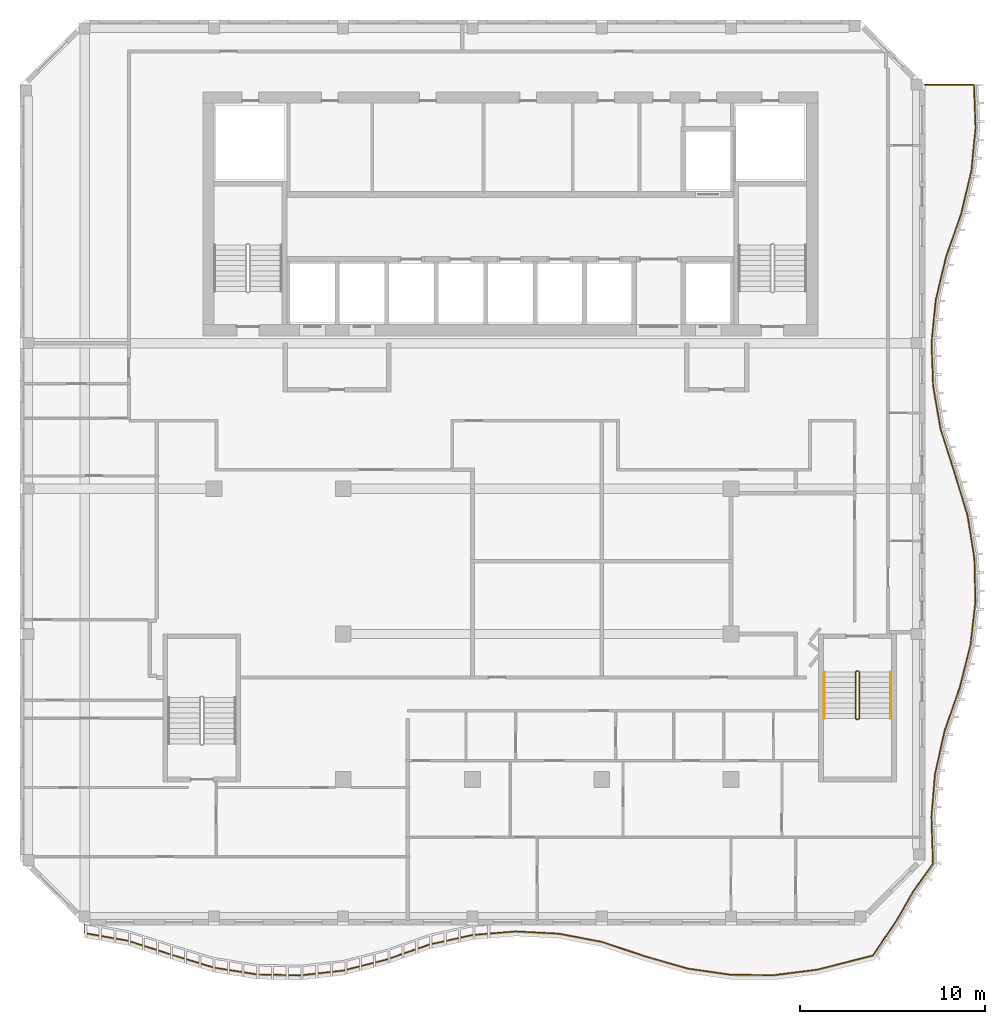
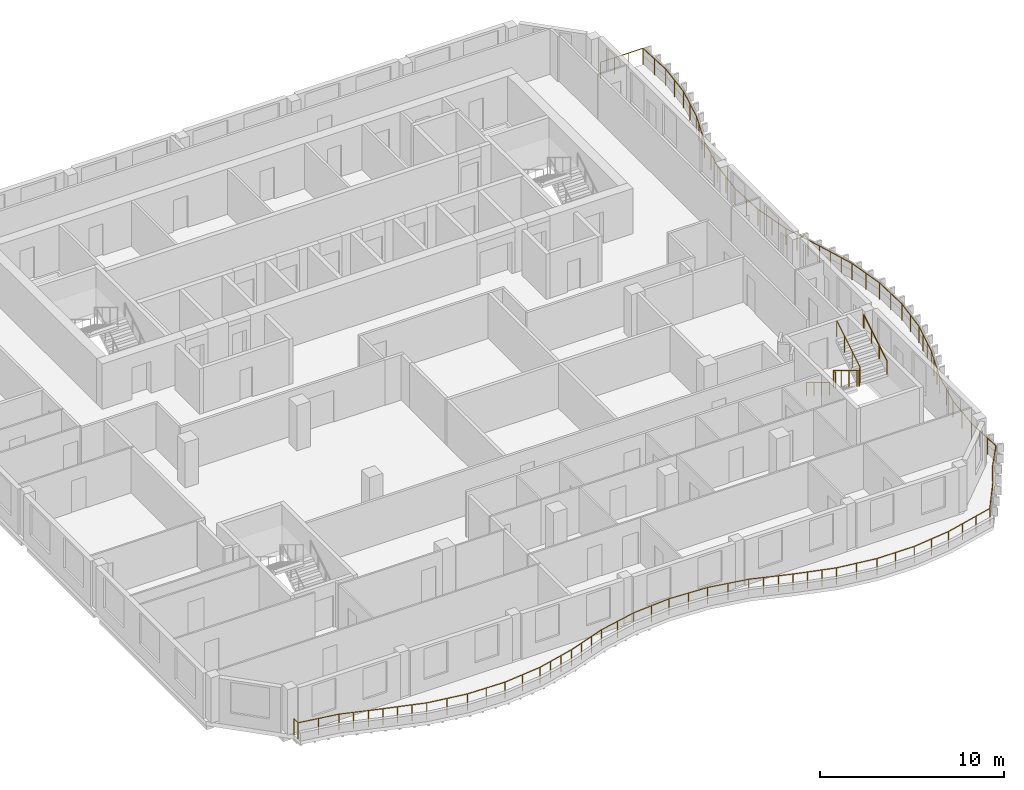
# One storey, part 13 of 14: 4 railings.
"""IFC4 building model written with IfcOpenShell, lengths in metres."""

from ifc_helpers import new_model, si_unit, direction, frame, origin, origin_2d, place, context, subcontext, project, spatial, circle, extrude, material, type_object, element, save


model = new_model("IFC4")

# Units and contexts
model_context = context("Model", 3, precision=1e-05, world=origin(), true_north=direction((0.0, 1.0)))
body_context = subcontext(model_context, "Body", "Model", "MODEL_VIEW")
ifc_project = project(units=[si_unit("LENGTHUNIT", "METRE"), si_unit("AREAUNIT", "SQUARE_METRE"), si_unit("VOLUMEUNIT", "CUBIC_METRE"), si_unit("PLANEANGLEUNIT", "RADIAN"), si_unit("MASSUNIT", "GRAM", prefix="KILO")], contexts=[model_context])

# Site, building, storey
site_placement = place(None, origin())
site = spatial("IfcSite", under=ifc_project, at=site_placement, CompositionType="ELEMENT")
building_placement = place(site_placement, origin())
building = spatial("IfcBuilding", under=site, at=building_placement, Name="Kilnfold Tower and Market Hall", CompositionType="ELEMENT")
storey_placement = place(building_placement, frame((0.0, 0.0, 315.39990234375)))
storey = spatial("IfcBuildingStorey", under=building, at=storey_placement, Name="L79", CompositionType="ELEMENT", Elevation=315.39990234375)

# Railings
ifc_material_1 = material(Name="Stainless steel 316", Category="steel")
railing_type_1 = type_object("IfcRailingType", Name="CORE STAIR GUARD 1100", PredefinedType="GUARDRAIL", material=ifc_material_1)
railing_1_placement = place(storey_placement, frame((19.89990234375, -9.75, 0.0)))
element("IfcRailing", 1, at=railing_1_placement, inside=storey, type_object=railing_type_1, Name="L79 ST4 stair guard 1", PredefinedType="GUARDRAIL", context=body_context, shape_type="SweptSolid", body=[
    extrude(circle(Radius=0.02392578125, at=origin_2d()), frame((0.0, 0.0, 1.076171875), z_axis=(-1.0, 0.0, 0.0), x_axis=(0.0, -1.0, 0.0)), (0.0, 0.0, 1.0), 0.099853515625),
    extrude(circle(Radius=0.02392578125, at=origin_2d()), frame((-0.099853515625, 0.0, 1.076171875), z_axis=(-0.271562723297, -0.271562723297, 0.923313259209), x_axis=(0.707106781187, -0.707106781187, 0.0)), (0.0, 0.0, 1.0), 0.184326171875),
    extrude(circle(Radius=0.02392578125, at=origin_2d()), frame((-0.14990234375, -0.050048828125, 1.24609375), z_axis=(0.0, -0.85478489116, 0.518982456201), x_axis=(1.0, 0.0, 0.0)), (0.0, 0.0, 1.0), 2.9482421875),
    extrude(circle(Radius=0.02392578125, at=origin_2d()), frame((-0.14990234375, -2.570068359375, 2.7763671875), z_axis=(0.707106781187, -0.707106781187, 0.0), x_axis=(0.707106781187, 0.707106781187, 0.0)), (0.0, 0.0, 1.0), 0.07080078125),
    extrude(circle(Radius=0.02392578125, at=origin_2d()), frame((-0.099853515625, -2.6201171875, 2.7763671875), z_axis=(1.0, 0.0, 0.0), x_axis=(0.0, 1.0, 0.0)), (0.0, 0.0, 1.0), 0.099853515625),
    extrude(circle(Radius=0.02392578125, at=origin_2d()), frame((0.0, -2.6201171875, 2.7763671875), z_axis=(0.271895245746, 0.271895245746, 0.923117517265), x_axis=(-0.707106781187, 0.707106781187, 0.0)), (0.0, 0.0, 1.0), 0.18408203125),
    extrude(circle(Radius=0.02392578125, at=origin_2d()), frame((0.050048828125, -2.570068359375, 2.9462890625), z_axis=(0.0, 0.85478489116, 0.518982456201), x_axis=(-1.0, 0.0, 0.0)), (0.0, 0.0, 1.0), 2.9482421875),
    extrude(circle(Radius=0.02099609375, at=origin_2d()), origin(), (0.0, 0.0, 1.0), 1.052001953125),
    extrude(circle(Radius=0.02099609375, at=origin_2d()), frame((-0.099853515625, 0.0, 0.0)), (0.0, 0.0, 1.0), 1.052001953125),
    extrude(circle(Radius=0.02099609375, at=origin_2d()), frame((-0.14990234375, -0.050048828125, 0.170166015625)), (0.0, 0.0, 1.0), 1.052001953125),
    extrude(circle(Radius=0.02099609375, at=origin_2d()), frame((-0.14990234375, -0.89013671875, 0.68017578125)), (0.0, 0.0, 1.0), 1.052001953125),
    extrude(circle(Radius=0.02099609375, at=origin_2d()), frame((-0.14990234375, -1.72998046875, 1.190185546875)), (0.0, 0.0, 1.0), 1.052001953125),
    extrude(circle(Radius=0.02099609375, at=origin_2d()), frame((-0.14990234375, -2.570068359375, 1.7001953125)), (0.0, 0.0, 1.0), 1.052001953125),
    extrude(circle(Radius=0.02099609375, at=origin_2d()), frame((-0.099853515625, -2.6201171875, 1.7001953125)), (0.0, 0.0, 1.0), 1.052001953125),
    extrude(circle(Radius=0.02099609375, at=origin_2d()), frame((0.0, -2.6201171875, 1.7001953125)), (0.0, 0.0, 1.0), 1.052001953125),
    extrude(circle(Radius=0.02099609375, at=origin_2d()), frame((0.050048828125, -2.570068359375, 1.8701171875)), (0.0, 0.0, 1.0), 1.052001953125),
    extrude(circle(Radius=0.02099609375, at=origin_2d()), frame((0.050048828125, -1.72998046875, 2.380126953125)), (0.0, 0.0, 1.0), 1.052001953125),
    extrude(circle(Radius=0.02099609375, at=origin_2d()), frame((0.050048828125, -0.89013671875, 2.89013671875)), (0.0, 0.0, 1.0), 1.052001953125),
    extrude(circle(Radius=0.02099609375, at=origin_2d()), frame((0.050048828125, -0.050048828125, 3.400146484375)), (0.0, 0.0, 1.0), 1.052001953125),
])
ifc_material_2 = material(Name="Stainless steel 316", Category="steel")
railing_type_2 = type_object("IfcRailingType", Name="CORE STAIR HANDRAIL 900", PredefinedType="HANDRAIL", material=ifc_material_2)
railing_2_placement = place(storey_placement, frame((18.050048828125, -9.800048828125, 0.170166015625)))
element("IfcRailing", 2, at=railing_2_placement, inside=storey, type_object=railing_type_2, Name="L79 ST4 stair handrail 1", PredefinedType="HANDRAIL", context=body_context, shape_type="SweptSolid", body=[
    extrude(circle(Radius=0.02392578125, at=origin_2d()), frame((0.0, 0.0, 0.8759765625), z_axis=(0.0, -0.85478489116, 0.518982456201), x_axis=(1.0, 0.0, 0.0)), (0.0, 0.0, 1.0), 2.9482421875),
    extrude(circle(Radius=0.02099609375, at=origin_2d()), origin(), (0.0, 0.0, 1.0), 0.851806640625),
    extrude(circle(Radius=0.02099609375, at=origin_2d()), frame((0.0, -0.840087890625, 0.510009765625)), (0.0, 0.0, 1.0), 0.851806640625),
    extrude(circle(Radius=0.02099609375, at=origin_2d()), frame((0.0, -1.679931640625, 1.02001953125)), (0.0, 0.0, 1.0), 0.851806640625),
    extrude(circle(Radius=0.02099609375, at=origin_2d()), frame((0.0, -2.52001953125, 1.530029296875)), (0.0, 0.0, 1.0), 0.851806640625),
])
railing_3_placement = place(storey_placement, frame((21.64990234375, -12.320068359375, 1.8701171875)))
element("IfcRailing", 3, at=railing_3_placement, inside=storey, type_object=railing_type_2, Name="L79 ST4 stair handrail 2", PredefinedType="HANDRAIL", context=body_context, shape_type="SweptSolid", body=[
    extrude(circle(Radius=0.02392578125, at=origin_2d()), frame((0.0, 0.0, 0.8759765625), z_axis=(0.0, 0.85478489116, 0.518982456201), x_axis=(-1.0, 0.0, 0.0)), (0.0, 0.0, 1.0), 2.9482421875),
    extrude(circle(Radius=0.02099609375, at=origin_2d()), origin(), (0.0, 0.0, 1.0), 0.851806640625),
    extrude(circle(Radius=0.02099609375, at=origin_2d()), frame((0.0, 0.840087890625, 0.510009765625)), (0.0, 0.0, 1.0), 0.851806640625),
    extrude(circle(Radius=0.02099609375, at=origin_2d()), frame((0.0, 1.679931640625, 1.02001953125)), (0.0, 0.0, 1.0), 0.851806640625),
    extrude(circle(Radius=0.02099609375, at=origin_2d()), frame((0.0, 2.52001953125, 1.530029296875)), (0.0, 0.0, 1.0), 0.851806640625),
])
ifc_material_3 = material(Name="Stainless steel and laminated glass", Category="steel")
railing_type_3 = type_object("IfcRailingType", Name="GUARD 1100", PredefinedType="GUARDRAIL", material=ifc_material_3)
railing_4_placement = place(storey_placement, frame((-22.0, -23.5, 0.0)))
element("IfcRailing", 4, at=railing_4_placement, inside=storey, type_object=railing_type_3, Name="Guard balcony L79", PredefinedType="GUARDRAIL", context=body_context, shape_type="SweptSolid", body=[
    extrude(circle(Radius=0.02490234375, at=origin_2d()), frame((0.0, 0.0, 1.0751953125), z_axis=(0.0, -1.0, 0.0), x_axis=(1.0, 0.0, 0.0)), (0.0, 0.0, 1.0), 0.44482421875),
    extrude(circle(Radius=0.02490234375, at=origin_2d()), frame((0.0, -0.44482421875, 1.0751953125), z_axis=(0.985161021514, -0.17163263585, 0.0), x_axis=(0.17163263585, 0.985161021514, 0.0)), (0.0, 0.0, 1.0), 2.368408203125),
    extrude(circle(Radius=0.02490234375, at=origin_2d()), frame((2.333251953125, -0.851318359375, 1.0751953125), z_axis=(0.952237728502, -0.305357672929, 0.0), x_axis=(0.305357672929, 0.952237728502, 0.0)), (0.0, 0.0, 1.0), 2.450439453125),
    extrude(circle(Radius=0.02490234375, at=origin_2d()), frame((4.666748046875, -1.599609375, 1.0751953125), z_axis=(0.956664181542, -0.291193481648, 0.0), x_axis=(0.291193481648, 0.956664181542, 0.0)), (0.0, 0.0, 1.0), 2.43896484375),
    extrude(circle(Radius=0.02490234375, at=origin_2d()), frame((7.0, -2.309814453125, 1.0751953125), z_axis=(0.98763527449, -0.15676914423, 0.0), x_axis=(0.15676914423, 0.98763527449, 0.0)), (0.0, 0.0, 1.0), 2.362548828125),
    extrude(circle(Radius=0.02490234375, at=origin_2d()), frame((9.333251953125, -2.68017578125, 1.0751953125), z_axis=(0.999744743303, -0.022593101544, 0.0), x_axis=(0.022593101544, 0.999744743303, 0.0)), (0.0, 0.0, 1.0), 2.333984375),
    extrude(circle(Radius=0.02490234375, at=origin_2d()), frame((11.666748046875, -2.73291015625, 1.0751953125), z_axis=(0.993733193139, 0.11177808754, 0.0), x_axis=(-0.11177808754, 0.993733193139, 0.0)), (0.0, 0.0, 1.0), 2.347900390625),
    extrude(circle(Radius=0.02490234375, at=origin_2d()), frame((14.0, -2.470458984375, 1.0751953125), z_axis=(0.969283366137, 0.245946653017, 0.0), x_axis=(-0.245946653017, 0.969283366137, 0.0)), (0.0, 0.0, 1.0), 2.4072265625),
    extrude(circle(Radius=0.02490234375, at=origin_2d()), frame((16.333251953125, -1.87841796875, 1.0751953125), z_axis=(0.943990699702, 0.329972057722, 0.0), x_axis=(-0.329972057722, 0.943990699702, 0.0)), (0.0, 0.0, 1.0), 2.471923828125),
    extrude(circle(Radius=0.02490234375, at=origin_2d()), frame((18.666748046875, -1.062744140625, 1.0751953125), z_axis=(0.976247110943, 0.216660052559, 0.0), x_axis=(-0.216660052559, 0.976247110943, 0.0)), (0.0, 0.0, 1.0), 2.39013671875),
    extrude(circle(Radius=0.02490234375, at=origin_2d()), frame((21.0, -0.544921875, 1.0751953125), z_axis=(0.996600912797, 0.082380948112, 0.0), x_axis=(-0.082380948112, 0.996600912797, 0.0)), (0.0, 0.0, 1.0), 2.34130859375),
    extrude(circle(Radius=0.02490234375, at=origin_2d()), frame((23.333251953125, -0.35205078125, 1.0751953125), z_axis=(0.998656235283, -0.051823968686, 0.0), x_axis=(0.051823968686, 0.998656235283, 0.0)), (0.0, 0.0, 1.0), 2.336669921875),
    extrude(circle(Radius=0.02490234375, at=origin_2d()), frame((25.666748046875, -0.47314453125, 1.0751953125), z_axis=(0.982534193754, -0.186082127309, 0.0), x_axis=(0.186082127309, 0.982534193754, 0.0)), (0.0, 0.0, 1.0), 2.374755859375),
    extrude(circle(Radius=0.02490234375, at=origin_2d()), frame((28.0, -0.9150390625, 1.0751953125), z_axis=(0.948524379753, -0.316704122192, 0.0), x_axis=(0.316704122192, 0.948524379753, 0.0)), (0.0, 0.0, 1.0), 2.4599609375),
    extrude(circle(Radius=0.02490234375, at=origin_2d()), frame((30.333251953125, -1.694091796875, 1.0751953125), z_axis=(0.961013882284, -0.276500123068, 0.0), x_axis=(0.276500123068, 0.961013882284, 0.0)), (0.0, 0.0, 1.0), 2.42822265625),
    extrude(circle(Radius=0.02490234375, at=origin_2d()), frame((32.666748046875, -2.365478515625, 1.0751953125), z_axis=(0.989822742584, -0.14230579139, 0.0), x_axis=(0.14230579139, 0.989822742584, 0.0)), (0.0, 0.0, 1.0), 2.357177734375),
    extrude(circle(Radius=0.02490234375, at=origin_2d()), frame((35.0, -2.700927734375, 1.0751953125), z_axis=(0.999967544587, -0.008056660137, 0.0), x_axis=(0.008056660137, 0.999967544587, 0.0)), (0.0, 0.0, 1.0), 2.333251953125),
    extrude(circle(Radius=0.02490234375, at=origin_2d()), frame((37.333251953125, -2.7197265625, 1.0751953125), z_axis=(0.992004055436, 0.126205998264, 0.0), x_axis=(-0.126205998264, 0.992004055436, 0.0)), (0.0, 0.0, 1.0), 2.352294921875),
    extrude(circle(Radius=0.02490234375, at=origin_2d()), frame((39.666748046875, -2.4228515625, 1.0751953125), z_axis=(0.969269635659, 0.246000758921, 0.0), x_axis=(-0.246000758921, 0.969269635659, 0.0)), (0.0, 0.0, 1.0), 3.115234375),
    extrude(circle(Radius=0.02490234375, at=origin_2d()), frame((42.686279296875, -1.656494140625, 1.0751953125), z_axis=(0.557017105761, 0.830501019801, 0.0), x_axis=(-0.830501019801, 0.557017105761, 0.0)), (0.0, 0.0, 1.0), 2.380859375),
    extrude(circle(Radius=0.02490234375, at=origin_2d()), frame((44.012451171875, 0.32080078125, 1.0751953125), z_axis=(0.498229570027, 0.867045151968, 0.0), x_axis=(-0.867045151968, 0.498229570027, 0.0)), (0.0, 0.0, 1.0), 1.709228515625),
    extrude(circle(Radius=0.02490234375, at=origin_2d()), frame((44.864013671875, 1.802734375, 1.0751953125), z_axis=(0.577451898884, 0.816424708393, 0.0), x_axis=(-0.816424708393, 0.577451898884, 0.0)), (0.0, 0.0, 1.0), 1.857421875),
    extrude(circle(Radius=0.02490234375, at=origin_2d()), frame((45.9365234375, 3.319091796875, 1.0751953125), z_axis=(-0.033579808658, 0.999436039199, 0.0), x_axis=(-0.999436039199, -0.033579808658, 0.0)), (0.0, 0.0, 1.0), 2.515625),
    extrude(circle(Radius=0.02490234375, at=origin_2d()), frame((45.85205078125, 5.833251953125, 1.0751953125), z_axis=(0.082683059595, 0.996575893576, 0.0), x_axis=(-0.996575893576, 0.082683059595, 0.0)), (0.0, 0.0, 1.0), 2.341552734375),
    extrude(circle(Radius=0.02490234375, at=origin_2d()), frame((46.045654296875, 8.166748046875, 1.0751953125), z_axis=(0.216952088083, 0.976182253207, 0.0), x_axis=(-0.976182253207, 0.216952088083, 0.0)), (0.0, 0.0, 1.0), 2.39013671875),
    extrude(circle(Radius=0.02490234375, at=origin_2d()), frame((46.564208984375, 10.5, 1.0751953125), z_axis=(0.329914803276, 0.944010711051, 0.0), x_axis=(-0.944010711051, 0.329914803276, 0.0)), (0.0, 0.0, 1.0), 2.4716796875),
    extrude(circle(Radius=0.02490234375, at=origin_2d()), frame((47.379638671875, 12.833251953125, 1.0751953125), z_axis=(0.245731906656, 0.969337830713, 0.0), x_axis=(-0.969337830713, 0.245731906656, 0.0)), (0.0, 0.0, 1.0), 2.4072265625),
    extrude(circle(Radius=0.02490234375, at=origin_2d()), frame((47.97119140625, 15.166748046875, 1.0751953125), z_axis=(0.111470030065, 0.993767796015, 0.0), x_axis=(-0.993767796015, 0.111470030065, 0.0)), (0.0, 0.0, 1.0), 2.347900390625),
    extrude(circle(Radius=0.02490234375, at=origin_2d()), frame((48.23291015625, 17.5, 1.0751953125), z_axis=(-0.022804573332, 0.999739941902, 0.0), x_axis=(-0.999739941902, -0.022804573332, 0.0)), (0.0, 0.0, 1.0), 2.333740234375),
    extrude(circle(Radius=0.02490234375, at=origin_2d()), frame((48.1796875, 19.833251953125, 1.0751953125), z_axis=(-0.157055499367, 0.987589778257, 0.0), x_axis=(-0.987589778257, -0.157055499367, 0.0)), (0.0, 0.0, 1.0), 2.36279296875),
    extrude(circle(Radius=0.02490234375, at=origin_2d()), frame((47.80859375, 22.166748046875, 1.0751953125), z_axis=(-0.29137669156, 0.956608396166, 0.0), x_axis=(-0.956608396166, -0.29137669156, 0.0)), (0.0, 0.0, 1.0), 2.439208984375),
    extrude(circle(Radius=0.02490234375, at=origin_2d()), frame((47.097900390625, 24.5, 1.0751953125), z_axis=(-0.305205938926, 0.952286372287, 0.0), x_axis=(-0.952286372287, -0.305205938926, 0.0)), (0.0, 0.0, 1.0), 2.4501953125),
    extrude(circle(Radius=0.02490234375, at=origin_2d()), frame((46.35009765625, 26.833251953125, 1.0751953125), z_axis=(-0.171315074292, 0.985216293674, 0.0), x_axis=(-0.985216293674, -0.171315074292, 0.0)), (0.0, 0.0, 1.0), 2.368408203125),
    extrude(circle(Radius=0.02490234375, at=origin_2d()), frame((45.9443359375, 29.166748046875, 1.0751953125), z_axis=(-0.037015527932, 0.999314690521, 0.0), x_axis=(-0.999314690521, -0.037015527932, 0.0)), (0.0, 0.0, 1.0), 2.3349609375),
    extrude(circle(Radius=0.02490234375, at=origin_2d()), frame((45.85791015625, 31.5, 1.0751953125), z_axis=(0.097162865547, 0.995268495211, 0.0), x_axis=(-0.995268495211, 0.097162865547, 0.0)), (0.0, 0.0, 1.0), 2.34423828125),
    extrude(circle(Radius=0.02490234375, at=origin_2d()), frame((46.085693359375, 33.833251953125, 1.0751953125), z_axis=(0.231455399006, 0.972845516139, 0.0), x_axis=(-0.972845516139, 0.231455399006, 0.0)), (0.0, 0.0, 1.0), 2.398681640625),
    extrude(circle(Radius=0.02490234375, at=origin_2d()), frame((46.640869140625, 36.166748046875, 1.0751953125), z_axis=(0.331409994631, 0.943486839049, 0.0), x_axis=(-0.943486839049, 0.331409994631, 0.0)), (0.0, 0.0, 1.0), 2.472900390625),
    extrude(circle(Radius=0.02490234375, at=origin_2d()), frame((47.46044921875, 38.5, 1.0751953125), z_axis=(0.231285627917, 0.972885891726, 0.0), x_axis=(-0.972885891726, 0.231285627917, 0.0)), (0.0, 0.0, 1.0), 2.398193359375),
    extrude(circle(Radius=0.02490234375, at=origin_2d()), frame((48.01513671875, 40.833251953125, 1.0751953125), z_axis=(0.096843341941, 0.995299636854, 0.0), x_axis=(-0.995299636854, 0.096843341941, 0.0)), (0.0, 0.0, 1.0), 2.344482421875),
    extrude(circle(Radius=0.02490234375, at=origin_2d()), frame((48.2421875, 43.166748046875, 1.0751953125), z_axis=(-0.037224366243, 0.999306933108, 0.0), x_axis=(-0.999306933108, -0.037224366243, 0.0)), (0.0, 0.0, 1.0), 2.3349609375),
    extrude(circle(Radius=0.02490234375, at=origin_2d()), frame((48.1552734375, 45.5, 1.0751953125), z_axis=(-1.0, 0.0, 0.0), x_axis=(0.0, -1.0, 0.0)), (0.0, 0.0, 1.0), 2.6552734375),
    extrude(circle(Radius=0.02490234375, at=origin_2d()), origin(), (0.0, 0.0, 1.0), 1.050048828125),
    extrude(circle(Radius=0.02490234375, at=origin_2d()), frame((0.0, -0.44482421875, 0.0)), (0.0, 0.0, 1.0), 1.050048828125),
    extrude(circle(Radius=0.02490234375, at=origin_2d()), frame((1.16650390625, -0.64794921875, 0.0)), (0.0, 0.0, 1.0), 1.050048828125),
    extrude(circle(Radius=0.02490234375, at=origin_2d()), frame((2.333251953125, -0.851318359375, 0.0)), (0.0, 0.0, 1.0), 1.050048828125),
    extrude(circle(Radius=0.02490234375, at=origin_2d()), frame((3.111083984375, -1.100830078125, 0.0)), (0.0, 0.0, 1.0), 1.050048828125),
    extrude(circle(Radius=0.02490234375, at=origin_2d()), frame((3.888916015625, -1.35009765625, 0.0)), (0.0, 0.0, 1.0), 1.050048828125),
    extrude(circle(Radius=0.02490234375, at=origin_2d()), frame((4.666748046875, -1.599609375, 0.0)), (0.0, 0.0, 1.0), 1.050048828125),
    extrude(circle(Radius=0.02490234375, at=origin_2d()), frame((5.444580078125, -1.83642578125, 0.0)), (0.0, 0.0, 1.0), 1.050048828125),
    extrude(circle(Radius=0.02490234375, at=origin_2d()), frame((6.22216796875, -2.072998046875, 0.0)), (0.0, 0.0, 1.0), 1.050048828125),
    extrude(circle(Radius=0.02490234375, at=origin_2d()), frame((7.0, -2.309814453125, 0.0)), (0.0, 0.0, 1.0), 1.050048828125),
    extrude(circle(Radius=0.02490234375, at=origin_2d()), frame((8.16650390625, -2.4951171875, 0.0)), (0.0, 0.0, 1.0), 1.050048828125),
    extrude(circle(Radius=0.02490234375, at=origin_2d()), frame((9.333251953125, -2.68017578125, 0.0)), (0.0, 0.0, 1.0), 1.050048828125),
    extrude(circle(Radius=0.02490234375, at=origin_2d()), frame((10.5, -2.70654296875, 0.0)), (0.0, 0.0, 1.0), 1.050048828125),
    extrude(circle(Radius=0.02490234375, at=origin_2d()), frame((11.666748046875, -2.73291015625, 0.0)), (0.0, 0.0, 1.0), 1.050048828125),
    extrude(circle(Radius=0.02490234375, at=origin_2d()), frame((12.83349609375, -2.6015625, 0.0)), (0.0, 0.0, 1.0), 1.050048828125),
    extrude(circle(Radius=0.02490234375, at=origin_2d()), frame((14.0, -2.470458984375, 0.0)), (0.0, 0.0, 1.0), 1.050048828125),
    extrude(circle(Radius=0.02490234375, at=origin_2d()), frame((14.77783203125, -2.273193359375, 0.0)), (0.0, 0.0, 1.0), 1.050048828125),
    extrude(circle(Radius=0.02490234375, at=origin_2d()), frame((15.555419921875, -2.07568359375, 0.0)), (0.0, 0.0, 1.0), 1.050048828125),
    extrude(circle(Radius=0.02490234375, at=origin_2d()), frame((16.333251953125, -1.87841796875, 0.0)), (0.0, 0.0, 1.0), 1.050048828125),
    extrude(circle(Radius=0.02490234375, at=origin_2d()), frame((17.111083984375, -1.6064453125, 0.0)), (0.0, 0.0, 1.0), 1.050048828125),
    extrude(circle(Radius=0.02490234375, at=origin_2d()), frame((17.888916015625, -1.334716796875, 0.0)), (0.0, 0.0, 1.0), 1.050048828125),
    extrude(circle(Radius=0.02490234375, at=origin_2d()), frame((18.666748046875, -1.062744140625, 0.0)), (0.0, 0.0, 1.0), 1.050048828125),
    extrude(circle(Radius=0.02490234375, at=origin_2d()), frame((19.83349609375, -0.8037109375, 0.0)), (0.0, 0.0, 1.0), 1.050048828125),
    extrude(circle(Radius=0.02490234375, at=origin_2d()), frame((21.0, -0.544921875, 0.0)), (0.0, 0.0, 1.0), 1.050048828125),
    extrude(circle(Radius=0.02490234375, at=origin_2d()), frame((22.16650390625, -0.448486328125, 0.0)), (0.0, 0.0, 1.0), 1.050048828125),
    extrude(circle(Radius=0.02490234375, at=origin_2d()), frame((23.333251953125, -0.35205078125, 0.0)), (0.0, 0.0, 1.0), 1.050048828125),
    extrude(circle(Radius=0.02490234375, at=origin_2d()), frame((24.5, -0.41259765625, 0.0)), (0.0, 0.0, 1.0), 1.050048828125),
    extrude(circle(Radius=0.02490234375, at=origin_2d()), frame((25.666748046875, -0.47314453125, 0.0)), (0.0, 0.0, 1.0), 1.050048828125),
    extrude(circle(Radius=0.02490234375, at=origin_2d()), frame((26.83349609375, -0.694091796875, 0.0)), (0.0, 0.0, 1.0), 1.050048828125),
    extrude(circle(Radius=0.02490234375, at=origin_2d()), frame((28.0, -0.9150390625, 0.0)), (0.0, 0.0, 1.0), 1.050048828125),
    extrude(circle(Radius=0.02490234375, at=origin_2d()), frame((28.77783203125, -1.1748046875, 0.0)), (0.0, 0.0, 1.0), 1.050048828125),
    extrude(circle(Radius=0.02490234375, at=origin_2d()), frame((29.555419921875, -1.434326171875, 0.0)), (0.0, 0.0, 1.0), 1.050048828125),
    extrude(circle(Radius=0.02490234375, at=origin_2d()), frame((30.333251953125, -1.694091796875, 0.0)), (0.0, 0.0, 1.0), 1.050048828125),
    extrude(circle(Radius=0.02490234375, at=origin_2d()), frame((31.111083984375, -1.91796875, 0.0)), (0.0, 0.0, 1.0), 1.050048828125),
    extrude(circle(Radius=0.02490234375, at=origin_2d()), frame((31.888916015625, -2.1416015625, 0.0)), (0.0, 0.0, 1.0), 1.050048828125),
    extrude(circle(Radius=0.02490234375, at=origin_2d()), frame((32.666748046875, -2.365478515625, 0.0)), (0.0, 0.0, 1.0), 1.050048828125),
    extrude(circle(Radius=0.02490234375, at=origin_2d()), frame((33.83349609375, -2.533203125, 0.0)), (0.0, 0.0, 1.0), 1.050048828125),
    extrude(circle(Radius=0.02490234375, at=origin_2d()), frame((35.0, -2.700927734375, 0.0)), (0.0, 0.0, 1.0), 1.050048828125),
    extrude(circle(Radius=0.02490234375, at=origin_2d()), frame((36.16650390625, -2.71044921875, 0.0)), (0.0, 0.0, 1.0), 1.050048828125),
    extrude(circle(Radius=0.02490234375, at=origin_2d()), frame((37.333251953125, -2.7197265625, 0.0)), (0.0, 0.0, 1.0), 1.050048828125),
    extrude(circle(Radius=0.02490234375, at=origin_2d()), frame((38.5, -2.5712890625, 0.0)), (0.0, 0.0, 1.0), 1.050048828125),
    extrude(circle(Radius=0.02490234375, at=origin_2d()), frame((39.666748046875, -2.4228515625, 0.0)), (0.0, 0.0, 1.0), 1.050048828125),
    extrude(circle(Radius=0.02490234375, at=origin_2d()), frame((40.67333984375, -2.16748046875, 0.0)), (0.0, 0.0, 1.0), 1.050048828125),
    extrude(circle(Radius=0.02490234375, at=origin_2d()), frame((41.6796875, -1.911865234375, 0.0)), (0.0, 0.0, 1.0), 1.050048828125),
    extrude(circle(Radius=0.02490234375, at=origin_2d()), frame((42.686279296875, -1.656494140625, 0.0)), (0.0, 0.0, 1.0), 1.050048828125),
    extrude(circle(Radius=0.02490234375, at=origin_2d()), frame((43.349365234375, -0.66796875, 0.0)), (0.0, 0.0, 1.0), 1.050048828125),
    extrude(circle(Radius=0.02490234375, at=origin_2d()), frame((44.012451171875, 0.32080078125, 0.0)), (0.0, 0.0, 1.0), 1.050048828125),
    extrude(circle(Radius=0.02490234375, at=origin_2d()), frame((44.438232421875, 1.061767578125, 0.0)), (0.0, 0.0, 1.0), 1.050048828125),
    extrude(circle(Radius=0.02490234375, at=origin_2d()), frame((44.864013671875, 1.802734375, 0.0)), (0.0, 0.0, 1.0), 1.050048828125),
    extrude(circle(Radius=0.02490234375, at=origin_2d()), frame((45.400390625, 2.56103515625, 0.0)), (0.0, 0.0, 1.0), 1.050048828125),
    extrude(circle(Radius=0.02490234375, at=origin_2d()), frame((45.9365234375, 3.319091796875, 0.0)), (0.0, 0.0, 1.0), 1.050048828125),
    extrude(circle(Radius=0.02490234375, at=origin_2d()), frame((45.908447265625, 4.1572265625, 0.0)), (0.0, 0.0, 1.0), 1.050048828125),
    extrude(circle(Radius=0.02490234375, at=origin_2d()), frame((45.880126953125, 4.9951171875, 0.0)), (0.0, 0.0, 1.0), 1.050048828125),
    extrude(circle(Radius=0.02490234375, at=origin_2d()), frame((45.85205078125, 5.833251953125, 0.0)), (0.0, 0.0, 1.0), 1.050048828125),
    extrude(circle(Radius=0.02490234375, at=origin_2d()), frame((45.94873046875, 7.0, 0.0)), (0.0, 0.0, 1.0), 1.050048828125),
    extrude(circle(Radius=0.02490234375, at=origin_2d()), frame((46.045654296875, 8.166748046875, 0.0)), (0.0, 0.0, 1.0), 1.050048828125),
    extrude(circle(Radius=0.02490234375, at=origin_2d()), frame((46.304931640625, 9.33349609375, 0.0)), (0.0, 0.0, 1.0), 1.050048828125),
    extrude(circle(Radius=0.02490234375, at=origin_2d()), frame((46.564208984375, 10.5, 0.0)), (0.0, 0.0, 1.0), 1.050048828125),
    extrude(circle(Radius=0.02490234375, at=origin_2d()), frame((46.8359375, 11.27783203125, 0.0)), (0.0, 0.0, 1.0), 1.050048828125),
    extrude(circle(Radius=0.02490234375, at=origin_2d()), frame((47.10791015625, 12.055419921875, 0.0)), (0.0, 0.0, 1.0), 1.050048828125),
    extrude(circle(Radius=0.02490234375, at=origin_2d()), frame((47.379638671875, 12.833251953125, 0.0)), (0.0, 0.0, 1.0), 1.050048828125),
    extrude(circle(Radius=0.02490234375, at=origin_2d()), frame((47.576904296875, 13.611083984375, 0.0)), (0.0, 0.0, 1.0), 1.050048828125),
    extrude(circle(Radius=0.02490234375, at=origin_2d()), frame((47.77392578125, 14.388916015625, 0.0)), (0.0, 0.0, 1.0), 1.050048828125),
    extrude(circle(Radius=0.02490234375, at=origin_2d()), frame((47.97119140625, 15.166748046875, 0.0)), (0.0, 0.0, 1.0), 1.050048828125),
    extrude(circle(Radius=0.02490234375, at=origin_2d()), frame((48.10205078125, 16.33349609375, 0.0)), (0.0, 0.0, 1.0), 1.050048828125),
    extrude(circle(Radius=0.02490234375, at=origin_2d()), frame((48.23291015625, 17.5, 0.0)), (0.0, 0.0, 1.0), 1.050048828125),
    extrude(circle(Radius=0.02490234375, at=origin_2d()), frame((48.206298828125, 18.66650390625, 0.0)), (0.0, 0.0, 1.0), 1.050048828125),
    extrude(circle(Radius=0.02490234375, at=origin_2d()), frame((48.1796875, 19.833251953125, 0.0)), (0.0, 0.0, 1.0), 1.050048828125),
    extrude(circle(Radius=0.02490234375, at=origin_2d()), frame((47.994140625, 21.0, 0.0)), (0.0, 0.0, 1.0), 1.050048828125),
    extrude(circle(Radius=0.02490234375, at=origin_2d()), frame((47.80859375, 22.166748046875, 0.0)), (0.0, 0.0, 1.0), 1.050048828125),
    extrude(circle(Radius=0.02490234375, at=origin_2d()), frame((47.57177734375, 22.944580078125, 0.0)), (0.0, 0.0, 1.0), 1.050048828125),
    extrude(circle(Radius=0.02490234375, at=origin_2d()), frame((47.334716796875, 23.72216796875, 0.0)), (0.0, 0.0, 1.0), 1.050048828125),
    extrude(circle(Radius=0.02490234375, at=origin_2d()), frame((47.097900390625, 24.5, 0.0)), (0.0, 0.0, 1.0), 1.050048828125),
    extrude(circle(Radius=0.02490234375, at=origin_2d()), frame((46.8486328125, 25.27783203125, 0.0)), (0.0, 0.0, 1.0), 1.050048828125),
    extrude(circle(Radius=0.02490234375, at=origin_2d()), frame((46.599365234375, 26.055419921875, 0.0)), (0.0, 0.0, 1.0), 1.050048828125),
    extrude(circle(Radius=0.02490234375, at=origin_2d()), frame((46.35009765625, 26.833251953125, 0.0)), (0.0, 0.0, 1.0), 1.050048828125),
    extrude(circle(Radius=0.02490234375, at=origin_2d()), frame((46.147216796875, 28.0, 0.0)), (0.0, 0.0, 1.0), 1.050048828125),
    extrude(circle(Radius=0.02490234375, at=origin_2d()), frame((45.9443359375, 29.166748046875, 0.0)), (0.0, 0.0, 1.0), 1.050048828125),
    extrude(circle(Radius=0.02490234375, at=origin_2d()), frame((45.901123046875, 30.33349609375, 0.0)), (0.0, 0.0, 1.0), 1.050048828125),
    extrude(circle(Radius=0.02490234375, at=origin_2d()), frame((45.85791015625, 31.5, 0.0)), (0.0, 0.0, 1.0), 1.050048828125),
    extrude(circle(Radius=0.02490234375, at=origin_2d()), frame((45.9716796875, 32.66650390625, 0.0)), (0.0, 0.0, 1.0), 1.050048828125),
    extrude(circle(Radius=0.02490234375, at=origin_2d()), frame((46.085693359375, 33.833251953125, 0.0)), (0.0, 0.0, 1.0), 1.050048828125),
    extrude(circle(Radius=0.02490234375, at=origin_2d()), frame((46.36328125, 35.0, 0.0)), (0.0, 0.0, 1.0), 1.050048828125),
    extrude(circle(Radius=0.02490234375, at=origin_2d()), frame((46.640869140625, 36.166748046875, 0.0)), (0.0, 0.0, 1.0), 1.050048828125),
    extrude(circle(Radius=0.02490234375, at=origin_2d()), frame((46.9140625, 36.944580078125, 0.0)), (0.0, 0.0, 1.0), 1.050048828125),
    extrude(circle(Radius=0.02490234375, at=origin_2d()), frame((47.187255859375, 37.72216796875, 0.0)), (0.0, 0.0, 1.0), 1.050048828125),
    extrude(circle(Radius=0.02490234375, at=origin_2d()), frame((47.46044921875, 38.5, 0.0)), (0.0, 0.0, 1.0), 1.050048828125),
    extrude(circle(Radius=0.02490234375, at=origin_2d()), frame((47.73779296875, 39.66650390625, 0.0)), (0.0, 0.0, 1.0), 1.050048828125),
    extrude(circle(Radius=0.02490234375, at=origin_2d()), frame((48.01513671875, 40.833251953125, 0.0)), (0.0, 0.0, 1.0), 1.050048828125),
    extrude(circle(Radius=0.02490234375, at=origin_2d()), frame((48.128662109375, 42.0, 0.0)), (0.0, 0.0, 1.0), 1.050048828125),
    extrude(circle(Radius=0.02490234375, at=origin_2d()), frame((48.2421875, 43.166748046875, 0.0)), (0.0, 0.0, 1.0), 1.050048828125),
    extrude(circle(Radius=0.02490234375, at=origin_2d()), frame((48.19873046875, 44.33349609375, 0.0)), (0.0, 0.0, 1.0), 1.050048828125),
    extrude(circle(Radius=0.02490234375, at=origin_2d()), frame((48.1552734375, 45.5, 0.0)), (0.0, 0.0, 1.0), 1.050048828125),
    extrude(circle(Radius=0.02490234375, at=origin_2d()), frame((47.270263671875, 45.5, 0.0)), (0.0, 0.0, 1.0), 1.050048828125),
    extrude(circle(Radius=0.02490234375, at=origin_2d()), frame((46.385009765625, 45.5, 0.0)), (0.0, 0.0, 1.0), 1.050048828125),
    extrude(circle(Radius=0.02490234375, at=origin_2d()), frame((45.5, 45.5, 0.0)), (0.0, 0.0, 1.0), 1.050048828125),
])

save(model, "model.ifc")
